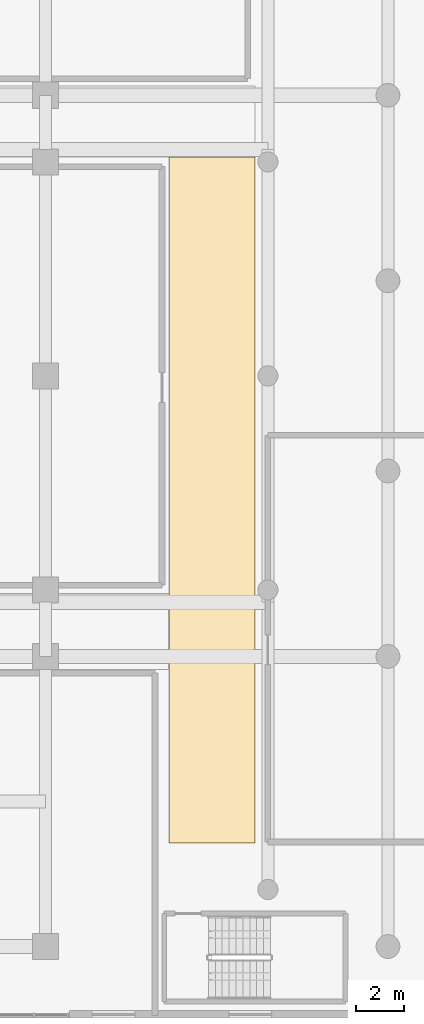
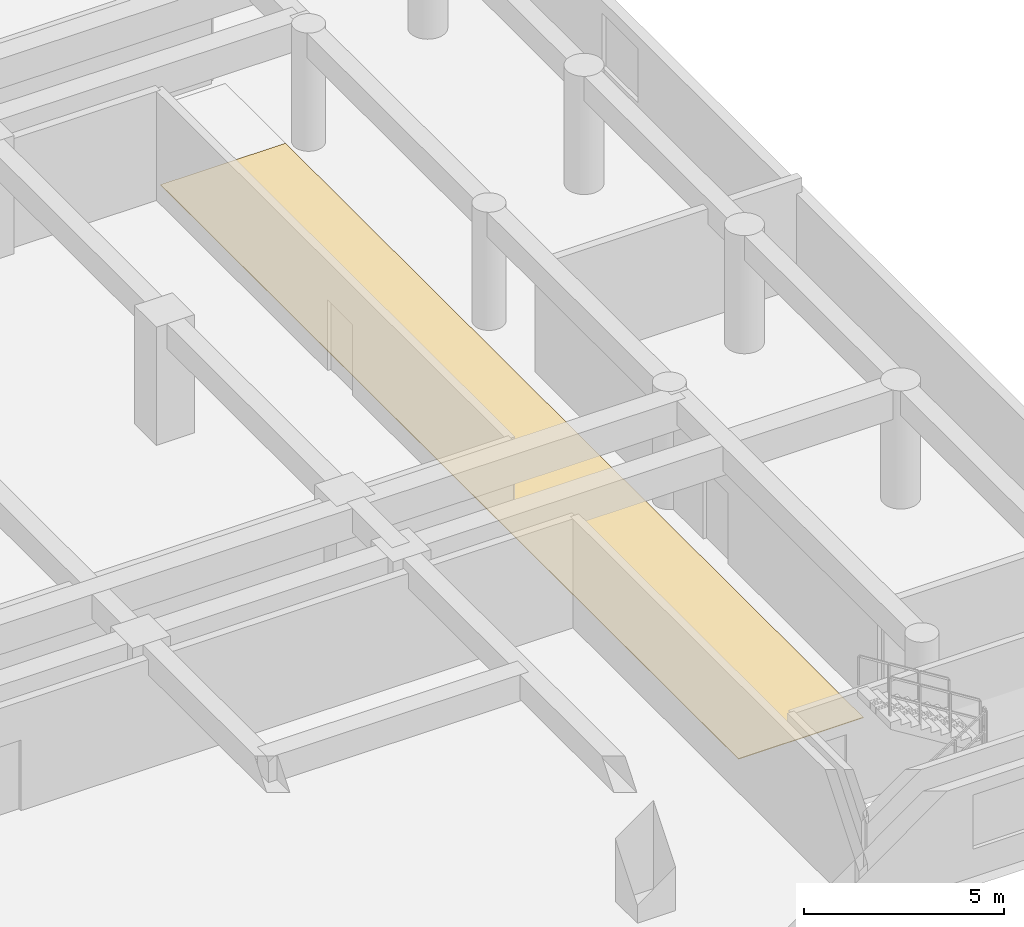
# One storey, part 30 of 30: 1 covering.
"""IFC4 building model written with IfcOpenShell, lengths in metres."""

from ifc_helpers import new_model, si_unit, direction, frame, origin, place, context, subcontext, project, spatial, polyline, outline, extrude, material, layer, layer_set, type_object, element, save


model = new_model("IFC4")

# Units and contexts
model_context = context("Model", 3, precision=1e-05, world=origin(), true_north=direction((0.0, 1.0)))
body_context = subcontext(model_context, "Body", "Model", "MODEL_VIEW")
ifc_project = project(units=[si_unit("LENGTHUNIT", "METRE"), si_unit("AREAUNIT", "SQUARE_METRE"), si_unit("VOLUMEUNIT", "CUBIC_METRE"), si_unit("PLANEANGLEUNIT", "RADIAN"), si_unit("MASSUNIT", "GRAM", prefix="KILO")], contexts=[model_context])

# Site, building, storey
site_placement = place(None, origin())
site = spatial("IfcSite", under=ifc_project, at=site_placement, CompositionType="ELEMENT")
building_placement = place(site_placement, origin())
building = spatial("IfcBuilding", under=site, at=building_placement, Name="Saelheon Loggia Tower", CompositionType="ELEMENT")
storey_placement = place(building_placement, frame((0.0, 0.0, 7.800048828125)))
storey = spatial("IfcBuildingStorey", under=building, at=storey_placement, Name="L02", CompositionType="ELEMENT", Elevation=7.800048828125)

# Covering
ifc_material = material(Name="Vitrified Porcelain Floor Tile", Category="ceramic")
ifc_layer = layer(ifc_material, 0.02001953125)
ifc_layer_set = layer_set([ifc_layer], Name="Vitrified Porcelain Floor Tile")
covering_type = type_object("IfcCoveringType", Name="Cov_Floor_Porcelain", PredefinedType="FLOORING", material=ifc_layer_set)
covering_placement = place(storey_placement, origin())
element("IfcCovering", 1, at=covering_placement, inside=storey, type_object=covering_type, Name="L02 Corridor Porcelain Flooring", PredefinedType="FLOORING", context=body_context, shape_type="SweptSolid", body=[
    extrude(outline(polyline([(64.199951171875, 7.360107421875), (67.800048828125, 7.360107421875), (67.800048828125, 36.199951171875), (64.199951171875, 36.199951171875), (64.199951171875, 7.360107421875)])), origin(), (0.0, 0.0, 1.0), 0.02001953125),
])

save(model, "model.ifc")
